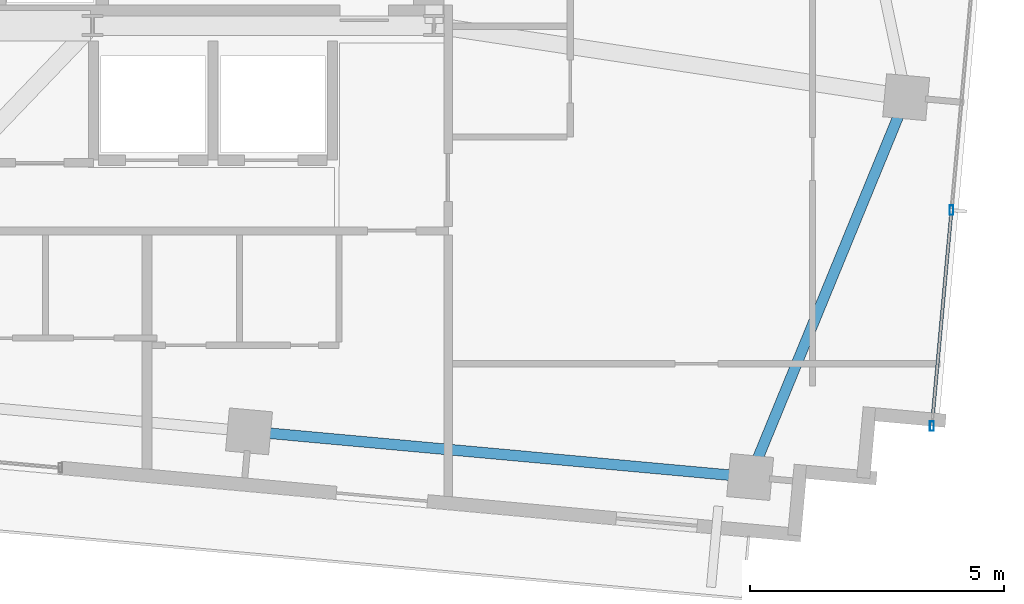
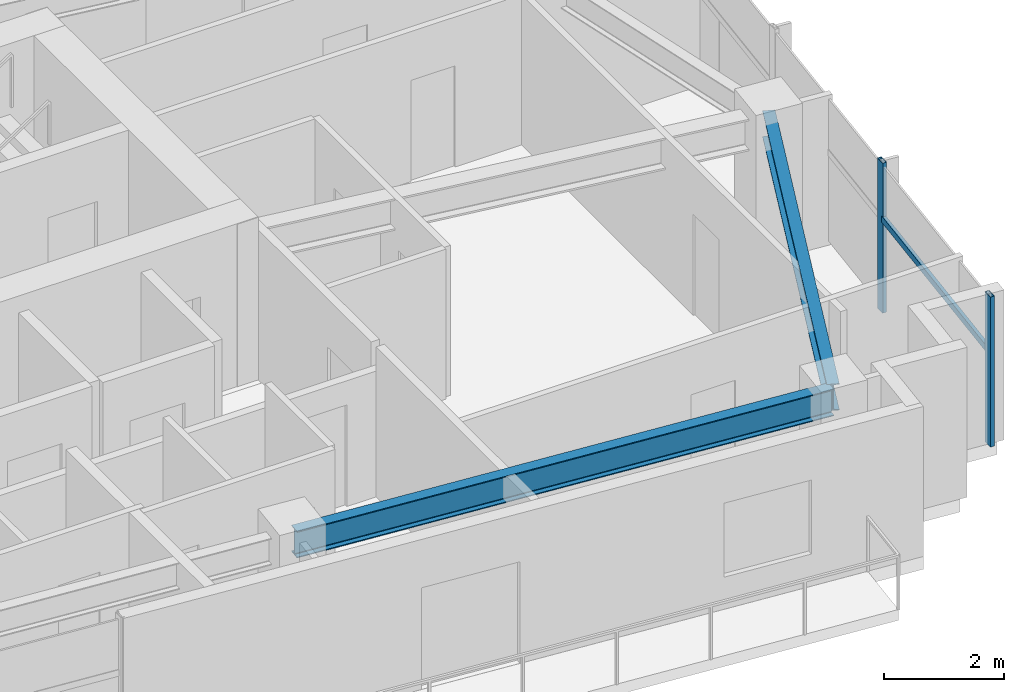
# One storey, part 12 of 22: 3 members, 2 beams, 1 element without a shape of its own.
"""IFC4 building model written with IfcOpenShell, lengths in metres."""

from ifc_helpers import new_model, si_unit, direction, frame, origin, origin_2d, place, context, subcontext, project, spatial, hollow_rectangle, i_section, extrude, source, transform, mapped, material, material_profile, profile_set, type_object, type_shapes, element, aggregate, save


model = new_model("IFC4")

# Units and contexts
model_context = context("Model", 3, precision=1e-05, world=origin(), true_north=direction((0.0, 1.0)))
body_context = subcontext(model_context, "Body", "Model", "MODEL_VIEW")
ifc_project = project(units=[si_unit("LENGTHUNIT", "METRE"), si_unit("AREAUNIT", "SQUARE_METRE"), si_unit("VOLUMEUNIT", "CUBIC_METRE"), si_unit("PLANEANGLEUNIT", "RADIAN"), si_unit("MASSUNIT", "GRAM", prefix="KILO")], contexts=[model_context])

# Site, building, storey
site_placement = place(None, origin())
site = spatial("IfcSite", under=ifc_project, at=site_placement, CompositionType="ELEMENT")
building_placement = place(site_placement, origin())
building = spatial("IfcBuilding", under=site, at=building_placement, Name="Astriad Promenade Condominiums", CompositionType="ELEMENT")
storey_placement = place(building_placement, frame((0.0, 0.0, 243.0)))
storey = spatial("IfcBuildingStorey", under=building, at=storey_placement, Name="L70", CompositionType="ELEMENT", Elevation=243.0)

# Beams
ifc_material_1 = material(Name="Steel ASTM A992 Grade 50", Category="steel")
ifc_material_profile_1 = material_profile(ifc_material_1, i_section(OverallWidth=0.210693359375, OverallDepth=0.53955078125, WebThickness=0.01171875, FlangeThickness=0.018798828125, FilletRadius=0.0166015625, at=origin_2d()), Name="W21X73")
ifc_profile_set_1 = profile_set([ifc_material_profile_1], Name="Steel ASTM A992 Grade 50")
beam_type = type_object("IfcBeamType", Name="STEEL SPANDREL BEAM W21X73", PredefinedType="SPANDREL", material=ifc_profile_set_1)
shared_shape_1 = source(origin(), body_context, "Body", "SweptSolid", [
    extrude(i_section(OverallWidth=0.210693359375, OverallDepth=0.53955078125, WebThickness=0.01171875, FlangeThickness=0.018798828125, FilletRadius=0.0166015625, at=origin_2d()), origin(), (0.0, 0.0, 1.0), 9.820068359375),
])
beam_1_placement = place(storey_placement, frame((41.99951171875, 9.410888671875, 2.770263671875), z_axis=(0.995883214993, -0.090645585088, 0.0), x_axis=(0.090645585088, 0.995883214993, 0.0)))
element("IfcBeam", 1, at=beam_1_placement, inside=storey, type_object=beam_type, Name="Perimeter Spandrel Beam SP-S4-L70", PredefinedType="SPANDREL", context=body_context, shape_type="MappedRepresentation", body=[
    mapped(shared_shape_1, transform((0.0, 0.0, 0.0), scale=1.0)),
])
shared_shape_2 = source(origin(), body_context, "Body", "SweptSolid", [
    extrude(i_section(OverallWidth=0.210693359375, OverallDepth=0.53955078125, WebThickness=0.01171875, FlangeThickness=0.018798828125, FilletRadius=0.0166015625, at=origin_2d()), origin(), (0.0, 0.0, 1.0), 7.998779296875),
])
type_shapes(beam_type, [shared_shape_1, shared_shape_2])
beam_2_placement = place(storey_placement, frame((51.833984375, 8.55419921875, 2.770263671875), z_axis=(0.38000513148, 0.924984378273, 0.0), x_axis=(-0.924984378273, 0.38000513148, 0.0)))
element("IfcBeam", 2, at=beam_2_placement, inside=storey, type_object=beam_type, Name="Perimeter Spandrel Beam SP-E1-L70", PredefinedType="SPANDREL", context=body_context, shape_type="MappedRepresentation", body=[
    mapped(shared_shape_2, transform((0.0, 0.0, 0.0), scale=1.0)),
])

# Curtain wall, members
ifc_material_2 = material(Name="Anodised aluminium Black Dark Glass Unitised", Category="aluminium")
curtain_wall_type = type_object("IfcCurtainWallType", Name="CW-B5-DARK", PredefinedType="USERDEFINED", material=ifc_material_2)
curtain_wall_placement = place(storey_placement, origin())
curtain_wall = element("IfcCurtainWall", 3, at=curtain_wall_placement, inside=storey, type_object=curtain_wall_type, Name="CW-L70-E", ObjectType="UNITISED_CURTAIN_WALL", PredefinedType="USERDEFINED")
ifc_material_3 = material(Name="Anodised aluminium 6063-T6 Black", Category="aluminium")
ifc_material_profile_2 = material_profile(ifc_material_3, hollow_rectangle(XDim=0.06494140625, YDim=0.1298828125, WallThickness=0.00390625, at=origin_2d()), Name="ALU-TRN-65X130")
ifc_profile_set_2 = profile_set([ifc_material_profile_2], Name="Anodised aluminium 6063-T6 Black")
member_type_1 = type_object("IfcMemberType", Name="TRN-ALU-TRN-65X130", PredefinedType="USERDEFINED", material=ifc_profile_set_2)
shared_shape_3 = source(origin(), body_context, "Body", "SweptSolid", [
    extrude(hollow_rectangle(XDim=0.06494140625, YDim=0.1298828125, WallThickness=0.00390625, at=origin_2d()), origin(), (0.0, 0.0, 1.0), 4.2666015625),
])
type_shapes(member_type_1, [shared_shape_3])
member_1_placement = place(storey_placement, frame((55.78076171875, 13.766357421875, 1.884765625), z_axis=(-0.090638931954, -0.99588382054, 0.0), x_axis=(0.99588382054, -0.090638931954, 0.0)))
member_1 = element("IfcMember", 4, at=member_1_placement, type_object=member_type_1, Name="CW-L70-E-TRN-02-0", ObjectType="TRANSOM", PredefinedType="USERDEFINED", context=body_context, shape_type="MappedRepresentation", body=[
    mapped(shared_shape_3, transform((0.0, 0.0, 0.0), scale=1.0)),
])
ifc_material_profile_3 = material_profile(ifc_material_3, hollow_rectangle(XDim=0.074951171875, YDim=0.18505859375, WallThickness=0.00439453125, at=origin_2d()), Name="ALU-MUL-75X185")
ifc_profile_set_3 = profile_set([ifc_material_profile_3], Name="Anodised aluminium 6063-T6 Black")
member_type_2 = type_object("IfcMemberType", Name="MUL-ALU-MUL-75X185", PredefinedType="MULLION", material=ifc_profile_set_3)
shared_shape_4 = source(origin(), body_context, "Body", "SweptSolid", [
    extrude(hollow_rectangle(XDim=0.074951171875, YDim=0.18505859375, WallThickness=0.00439453125, at=origin_2d()), origin(), (0.0, 0.0, 1.0), 3.0400390625),
])
type_shapes(member_type_2, [shared_shape_4])
member_2_placement = place(storey_placement, frame((55.78076171875, 13.766357421875, 0.0), z_axis=(0.0, 0.0, 1.0), x_axis=(1.0, 0.0, 0.0)))
member_2 = element("IfcMember", 5, at=member_2_placement, type_object=member_type_2, Name="CW-L70-E-MUL-02", PredefinedType="MULLION", context=body_context, shape_type="MappedRepresentation", body=[
    mapped(shared_shape_4, transform((0.0, 0.0, 0.0), scale=1.0)),
])
member_3_placement = place(storey_placement, frame((55.39404296875, 9.517333984375, 0.0), z_axis=(0.0, 0.0, 1.0), x_axis=(1.0, 0.0, 0.0)))
member_3 = element("IfcMember", 6, at=member_3_placement, type_object=member_type_2, Name="CW-L70-E-MUL-03", PredefinedType="MULLION", context=body_context, shape_type="MappedRepresentation", body=[
    mapped(shared_shape_4, transform((0.0, 0.0, 0.0), scale=1.0)),
])
aggregate(curtain_wall, [member_2, member_3, member_1])

save(model, "model.ifc")
